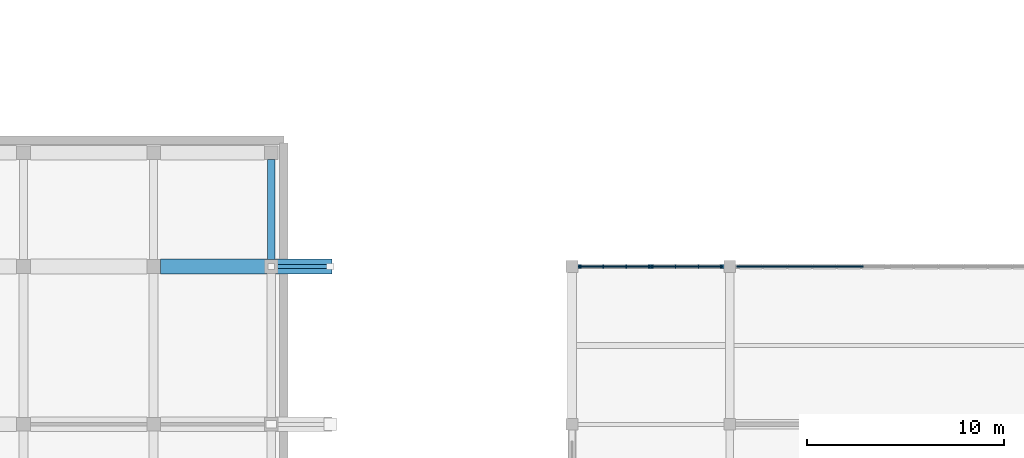
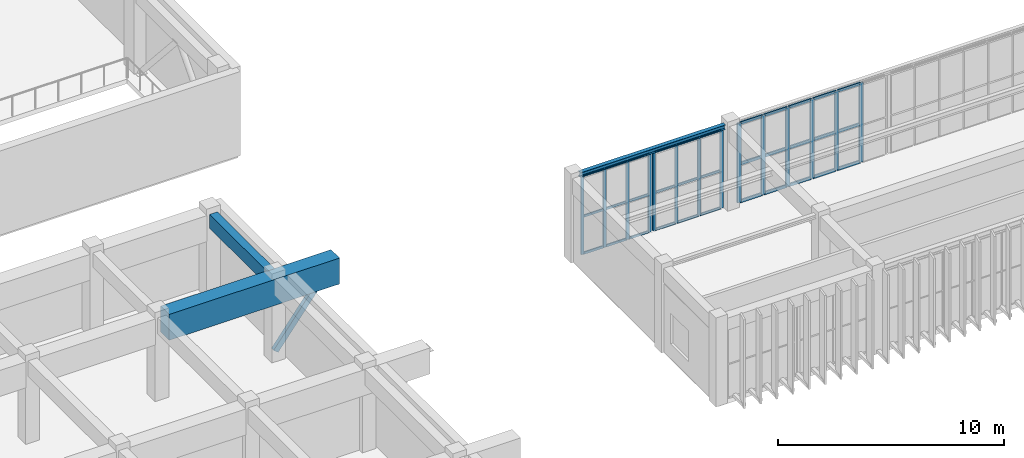
# One storey, part 10 of 64: 48 members, 3 beams, 3 elements without a shape of their own.
"""IFC4 building model written with IfcOpenShell, lengths in metres."""

from ifc_helpers import new_model, si_unit, direction, frame, origin, origin_2d, place, context, subcontext, project, spatial, rectangle, hollow_rectangle, i_section, extrude, material, layer, layer_set, material_profile, profile_set, type_object, element, aggregate, save


model = new_model("IFC4")

# Units and contexts
model_context = context("Model", 3, precision=1e-05, world=origin(), true_north=direction((0.0, 1.0)))
body_context = subcontext(model_context, "Body", "Model", "MODEL_VIEW")
ifc_project = project(units=[si_unit("LENGTHUNIT", "METRE"), si_unit("AREAUNIT", "SQUARE_METRE"), si_unit("VOLUMEUNIT", "CUBIC_METRE"), si_unit("PLANEANGLEUNIT", "RADIAN"), si_unit("MASSUNIT", "GRAM", prefix="KILO")], contexts=[model_context])

# Site, building, storey
site_placement = place(None, origin())
site = spatial("IfcSite", under=ifc_project, at=site_placement, CompositionType="ELEMENT")
building_placement = place(site_placement, origin())
building = spatial("IfcBuilding", under=site, at=building_placement, Name="Cinchona Park Media Centre", CompositionType="ELEMENT")
storey_placement = place(building_placement, frame((0.0, 0.0, 5.39990234375)))
storey = spatial("IfcBuildingStorey", under=building, at=storey_placement, Name="L01", CompositionType="ELEMENT", Elevation=5.39990234375)

# Beams
ifc_material_1 = material(Name="Concrete C35/45", Category="concrete")
ifc_material_profile_1 = material_profile(ifc_material_1, rectangle(XDim=0.39990234375, YDim=0.75, at=origin_2d()), Name="RB 400X750")
ifc_profile_set_1 = profile_set([ifc_material_profile_1], Name="Concrete C35/45")
beam_type_1 = type_object("IfcBeamType", Name="BEAM-B01-RB400X750", PredefinedType="BEAM", material=ifc_profile_set_1)
beam_1_placement = place(storey_placement, frame((39.56005859375, 87.949951171875, 4.10009765625), z_axis=(0.0, 1.0, 0.0), x_axis=(-1.0, 0.0, 0.0)))
element("IfcBeam", 1, at=beam_1_placement, inside=storey, type_object=beam_type_1, Name="Girder B01 L01", PredefinedType="BEAM", context=body_context, shape_type="SweptSolid", body=[
    extrude(rectangle(XDim=0.39990234375, YDim=0.75, at=origin_2d()), origin(), (0.0, 0.0, 1.0), 5.06005859375),
])
ifc_material_2 = material(Name="Steel S355", Category="steel")
ifc_material_profile_2 = material_profile(ifc_material_2, i_section(OverallWidth=0.202880859375, OverallDepth=0.251953125, WebThickness=0.008056640625, FlangeThickness=0.013427734375, at=origin_2d()), Name="W250X58")
ifc_profile_set_2 = profile_set([ifc_material_profile_2], Name="Steel S355")
beam_type_2 = type_object("IfcBeamType", Name="BEAM-B09-W250X58", PredefinedType="BEAM", material=ifc_profile_set_2)
beam_2_placement = place(storey_placement, frame((55.10009765625, 87.60009765625, 4.4140625), z_axis=(1.0, 0.0, 0.0), x_axis=(0.0, 1.0, 0.0)))
element("IfcBeam", 2, at=beam_2_placement, inside=storey, type_object=beam_type_2, Name="Beam B09 L01", PredefinedType="BEAM", context=body_context, shape_type="SweptSolid", body=[
    extrude(i_section(OverallWidth=0.202880859375, OverallDepth=0.251953125, WebThickness=0.008056640625, FlangeThickness=0.013427734375, at=origin_2d()), origin(), (0.0, 0.0, 1.0), 7.39990234375),
])
ifc_material_3 = material(Name="Concrete C40/50", Category="concrete")
ifc_material_profile_3 = material_profile(ifc_material_3, rectangle(XDim=0.75, YDim=1.39990234375, at=origin_2d()), Name="RTG 750X1400")
ifc_profile_set_3 = profile_set([ifc_material_profile_3], Name="Concrete C40/50")
beam_type_3 = type_object("IfcBeamType", Name="BEAM-TG01-RTG750X1400", PredefinedType="USERDEFINED", material=ifc_profile_set_3)
beam_3_placement = place(storey_placement, frame((33.949951171875, 87.60009765625, 3.775146484375), z_axis=(1.0, 0.0, 0.0), x_axis=(0.0, 1.0, 0.0)))
element("IfcBeam", 3, at=beam_3_placement, inside=storey, type_object=beam_type_3, Name="Cantilever Auditorium Transfer Girder TG01 L01", ObjectType="TRANSFER GIRDER", PredefinedType="USERDEFINED", context=body_context, shape_type="SweptSolid", body=[
    extrude(rectangle(XDim=0.75, YDim=1.39990234375, at=origin_2d()), origin(), (0.0, 0.0, 1.0), 8.699951171875),
])

# Member
ifc_material_4 = material(Name="Steel S355", Category="steel")
ifc_material_profile_4 = material_profile(ifc_material_4, hollow_rectangle(XDim=0.199951171875, YDim=0.300048828125, WallThickness=0.01611328125, at=origin_2d()), Name="300X200X16RHS")
ifc_profile_set_4 = profile_set([ifc_material_profile_4], Name="Steel S355")
member_type_1 = type_object("IfcMemberType", Name="MEMBER-TS05-RHS300X200X16", PredefinedType="STRUT", material=ifc_profile_set_4)
member_1_placement = place(storey_placement, frame((39.56005859375, 87.60009765625, 0.35009765625), z_axis=(0.610893690677, 0.0, 0.791712636435), x_axis=(0.0, 1.0, 0.0)))
element("IfcMember", 4, at=member_1_placement, inside=storey, type_object=member_type_1, Name="Constructivist Auditorium Raking Strut TS05", PredefinedType="STRUT", context=body_context, shape_type="SweptSolid", body=[
    extrude(hollow_rectangle(XDim=0.199951171875, YDim=0.300048828125, WallThickness=0.01611328125, at=origin_2d()), origin(), (0.0, 0.0, 1.0), 4.89453125),
])

# Curtain wall, members
ifc_material_5 = material(Name="Aluminium Curtain Wall Framing", Category="aluminium")
ifc_layer_1 = layer(ifc_material_5, 0.179931640625)
ifc_layer_set_1 = layer_set([ifc_layer_1], Name="Aluminium Curtain Wall Framing")
curtain_wall_type_1 = type_object("IfcCurtainWallType", Name="CW-CW01", PredefinedType="USERDEFINED", material=ifc_layer_set_1)
curtain_wall_1_placement = place(storey_placement, origin())
curtain_wall_1 = element("IfcCurtainWall", 5, at=curtain_wall_1_placement, inside=storey, type_object=curtain_wall_type_1, Name="Curtain Wall CW01 L01", ObjectType="UNITISED CURTAIN WALL", PredefinedType="USERDEFINED")
ifc_material_6 = material(Name="Anodised Aluminium Alloy 6063-T6", Category="aluminium")
ifc_material_profile_5 = material_profile(ifc_material_6, rectangle(XDim=0.06494140625, YDim=0.159912109375, at=origin_2d()), Name="MUL-65X160")
ifc_profile_set_5 = profile_set([ifc_material_profile_5], Name="Anodised Aluminium Alloy 6063-T6")
member_type_2 = type_object("IfcMemberType", Name="MULLION-MUL01", PredefinedType="MULLION", material=ifc_profile_set_5)
member_2_placement = place(storey_placement, frame((55.25244140625, 87.60009765625, 0.050048828125), z_axis=(0.0, 0.0, 1.0), x_axis=(0.0, 1.0, 0.0)))
member_2 = element("IfcMember", 6, at=member_2_placement, type_object=member_type_2, Name="CW01 mullion 1", PredefinedType="MULLION", context=body_context, shape_type="SweptSolid", body=[
    extrude(rectangle(XDim=0.06494140625, YDim=0.159912109375, at=origin_2d()), origin(), (0.0, 0.0, 1.0), 4.238037109375),
])
member_3_placement = place(storey_placement, frame((56.38671875, 87.60009765625, 0.050048828125), z_axis=(0.0, 0.0, 1.0), x_axis=(0.0, 1.0, 0.0)))
member_3 = element("IfcMember", 7, at=member_3_placement, type_object=member_type_2, Name="CW01 mullion 2", PredefinedType="MULLION", context=body_context, shape_type="SweptSolid", body=[
    extrude(rectangle(XDim=0.06494140625, YDim=0.159912109375, at=origin_2d()), origin(), (0.0, 0.0, 1.0), 4.238037109375),
])
member_4_placement = place(storey_placement, frame((57.55322265625, 87.60009765625, 0.050048828125), z_axis=(0.0, 0.0, 1.0), x_axis=(0.0, 1.0, 0.0)))
member_4 = element("IfcMember", 8, at=member_4_placement, type_object=member_type_2, Name="CW01 mullion 3", PredefinedType="MULLION", context=body_context, shape_type="SweptSolid", body=[
    extrude(rectangle(XDim=0.06494140625, YDim=0.159912109375, at=origin_2d()), origin(), (0.0, 0.0, 1.0), 4.238037109375),
])
member_5_placement = place(storey_placement, frame((58.6875, 87.60009765625, 0.050048828125), z_axis=(0.0, 0.0, 1.0), x_axis=(0.0, 1.0, 0.0)))
member_5 = element("IfcMember", 9, at=member_5_placement, type_object=member_type_2, Name="CW01 mullion 4", PredefinedType="MULLION", context=body_context, shape_type="SweptSolid", body=[
    extrude(rectangle(XDim=0.06494140625, YDim=0.159912109375, at=origin_2d()), origin(), (0.0, 0.0, 1.0), 4.238037109375),
])

ifc_material_7 = material(Name="Aluminium Curtain Wall Framing", Category="aluminium")
ifc_layer_2 = layer(ifc_material_7, 0.195068359375)
ifc_layer_set_2 = layer_set([ifc_layer_2], Name="Aluminium Curtain Wall Framing")
curtain_wall_type_2 = type_object("IfcCurtainWallType", Name="CW-CW02", PredefinedType="USERDEFINED", material=ifc_layer_set_2)
curtain_wall_2_placement = place(storey_placement, origin())
curtain_wall_2 = element("IfcCurtainWall", 10, at=curtain_wall_2_placement, inside=storey, type_object=curtain_wall_type_2, Name="Curtain Wall CW02 L01", ObjectType="UNITISED CURTAIN WALL", PredefinedType="USERDEFINED")
member_6_placement = place(storey_placement, frame((58.91259765625, 87.60009765625, 0.050048828125), z_axis=(0.0, 0.0, 1.0), x_axis=(0.0, 1.0, 0.0)))
member_6 = element("IfcMember", 11, at=member_6_placement, type_object=member_type_2, Name="CW02 mullion 1", PredefinedType="MULLION", context=body_context, shape_type="SweptSolid", body=[
    extrude(rectangle(XDim=0.06494140625, YDim=0.159912109375, at=origin_2d()), origin(), (0.0, 0.0, 1.0), 4.238037109375),
])
member_7_placement = place(storey_placement, frame((60.046630859375, 87.60009765625, 0.050048828125), z_axis=(0.0, 0.0, 1.0), x_axis=(0.0, 1.0, 0.0)))
member_7 = element("IfcMember", 12, at=member_7_placement, type_object=member_type_2, Name="CW02 mullion 2", PredefinedType="MULLION", context=body_context, shape_type="SweptSolid", body=[
    extrude(rectangle(XDim=0.06494140625, YDim=0.159912109375, at=origin_2d()), origin(), (0.0, 0.0, 1.0), 4.238037109375),
])
member_8_placement = place(storey_placement, frame((61.21337890625, 87.60009765625, 0.050048828125), z_axis=(0.0, 0.0, 1.0), x_axis=(0.0, 1.0, 0.0)))
member_8 = element("IfcMember", 13, at=member_8_placement, type_object=member_type_2, Name="CW02 mullion 3", PredefinedType="MULLION", context=body_context, shape_type="SweptSolid", body=[
    extrude(rectangle(XDim=0.06494140625, YDim=0.159912109375, at=origin_2d()), origin(), (0.0, 0.0, 1.0), 4.238037109375),
])
member_9_placement = place(storey_placement, frame((62.347412109375, 87.60009765625, 0.050048828125), z_axis=(0.0, 0.0, 1.0), x_axis=(0.0, 1.0, 0.0)))
member_9 = element("IfcMember", 14, at=member_9_placement, type_object=member_type_2, Name="CW02 mullion 4", PredefinedType="MULLION", context=body_context, shape_type="SweptSolid", body=[
    extrude(rectangle(XDim=0.06494140625, YDim=0.159912109375, at=origin_2d()), origin(), (0.0, 0.0, 1.0), 4.238037109375),
])

ifc_material_8 = material(Name="Aluminium Curtain Wall Framing", Category="aluminium")
ifc_layer_3 = layer(ifc_material_8, 0.2099609375)
ifc_layer_set_3 = layer_set([ifc_layer_3], Name="Aluminium Curtain Wall Framing")
curtain_wall_type_3 = type_object("IfcCurtainWallType", Name="CW-CW03", PredefinedType="USERDEFINED", material=ifc_layer_set_3)
curtain_wall_3_placement = place(storey_placement, origin())
curtain_wall_3 = element("IfcCurtainWall", 15, at=curtain_wall_3_placement, inside=storey, type_object=curtain_wall_type_3, Name="Curtain Wall CW03 L01", ObjectType="UNITISED CURTAIN WALL", PredefinedType="USERDEFINED")
ifc_material_9 = material(Name="Anodised Aluminium Alloy 6063-T6", Category="aluminium")
ifc_material_profile_6 = material_profile(ifc_material_9, rectangle(XDim=0.074951171875, YDim=0.2099609375, at=origin_2d()), Name="MUL-75X210")
ifc_profile_set_6 = profile_set([ifc_material_profile_6], Name="Anodised Aluminium Alloy 6063-T6")
member_type_3 = type_object("IfcMemberType", Name="MULLION-MUL03", PredefinedType="MULLION", material=ifc_profile_set_6)
member_10_placement = place(storey_placement, frame((63.257568359375, 87.60009765625, 0.050048828125), z_axis=(0.0, 0.0, 1.0), x_axis=(0.0, 1.0, 0.0)))
member_10 = element("IfcMember", 16, at=member_10_placement, type_object=member_type_3, Name="CW03 mullion 1", PredefinedType="MULLION", context=body_context, shape_type="SweptSolid", body=[
    extrude(rectangle(XDim=0.074951171875, YDim=0.2099609375, at=origin_2d()), origin(), (0.0, 0.0, 1.0), 4.287109375),
])
member_11_placement = place(storey_placement, frame((64.469970703125, 87.60009765625, 0.050048828125), z_axis=(0.0, 0.0, 1.0), x_axis=(0.0, 1.0, 0.0)))
member_11 = element("IfcMember", 17, at=member_11_placement, type_object=member_type_3, Name="CW03 mullion 2", PredefinedType="MULLION", context=body_context, shape_type="SweptSolid", body=[
    extrude(rectangle(XDim=0.074951171875, YDim=0.2099609375, at=origin_2d()), origin(), (0.0, 0.0, 1.0), 4.287109375),
])
member_12_placement = place(storey_placement, frame((65.719970703125, 87.60009765625, 0.050048828125), z_axis=(0.0, 0.0, 1.0), x_axis=(0.0, 1.0, 0.0)))
member_12 = element("IfcMember", 18, at=member_12_placement, type_object=member_type_3, Name="CW03 mullion 3", PredefinedType="MULLION", context=body_context, shape_type="SweptSolid", body=[
    extrude(rectangle(XDim=0.074951171875, YDim=0.2099609375, at=origin_2d()), origin(), (0.0, 0.0, 1.0), 4.287109375),
])
member_13_placement = place(storey_placement, frame((66.969970703125, 87.60009765625, 0.050048828125), z_axis=(0.0, 0.0, 1.0), x_axis=(0.0, 1.0, 0.0)))
member_13 = element("IfcMember", 19, at=member_13_placement, type_object=member_type_3, Name="CW03 mullion 4", PredefinedType="MULLION", context=body_context, shape_type="SweptSolid", body=[
    extrude(rectangle(XDim=0.074951171875, YDim=0.2099609375, at=origin_2d()), origin(), (0.0, 0.0, 1.0), 4.287109375),
])
member_14_placement = place(storey_placement, frame((68.219970703125, 87.60009765625, 0.050048828125), z_axis=(0.0, 0.0, 1.0), x_axis=(0.0, 1.0, 0.0)))
member_14 = element("IfcMember", 20, at=member_14_placement, type_object=member_type_3, Name="CW03 mullion 5", PredefinedType="MULLION", context=body_context, shape_type="SweptSolid", body=[
    extrude(rectangle(XDim=0.074951171875, YDim=0.2099609375, at=origin_2d()), origin(), (0.0, 0.0, 1.0), 4.287109375),
])
member_15_placement = place(storey_placement, frame((69.469970703125, 87.60009765625, 0.050048828125), z_axis=(0.0, 0.0, 1.0), x_axis=(0.0, 1.0, 0.0)))
member_15 = element("IfcMember", 21, at=member_15_placement, type_object=member_type_3, Name="CW03 mullion 6", PredefinedType="MULLION", context=body_context, shape_type="SweptSolid", body=[
    extrude(rectangle(XDim=0.074951171875, YDim=0.2099609375, at=origin_2d()), origin(), (0.0, 0.0, 1.0), 4.287109375),
])

# Member
ifc_material_10 = material(Name="Anodised Aluminium Alloy 6063-T6", Category="aluminium")
ifc_material_profile_7 = material_profile(ifc_material_10, rectangle(XDim=0.06494140625, YDim=0.1201171875, at=origin_2d()), Name="TRN-65X120")
ifc_profile_set_7 = profile_set([ifc_material_profile_7], Name="Anodised Aluminium Alloy 6063-T6")
member_type_4 = type_object("IfcMemberType", Name="TRANSOM-TRN01", PredefinedType="USERDEFINED", material=ifc_profile_set_7)
member_16_placement = place(storey_placement, frame((55.284912109375, 87.60009765625, 0.08251953125), z_axis=(1.0, 0.0, 0.0), x_axis=(0.0, 1.0, 0.0)))
member_16 = element("IfcMember", 22, at=member_16_placement, type_object=member_type_4, Name="CW01 transom 1.1", ObjectType="TRANSOM", PredefinedType="USERDEFINED", context=body_context, shape_type="SweptSolid", body=[
    extrude(rectangle(XDim=0.06494140625, YDim=0.1201171875, at=origin_2d()), origin(), (0.0, 0.0, 1.0), 1.0693359375),
])

member_17_placement = place(storey_placement, frame((55.284912109375, 87.60009765625, 2.083984375), z_axis=(1.0, 0.0, 0.0), x_axis=(0.0, 1.0, 0.0)))
member_17 = element("IfcMember", 23, at=member_17_placement, type_object=member_type_4, Name="CW01 transom 1.2", ObjectType="TRANSOM", PredefinedType="USERDEFINED", context=body_context, shape_type="SweptSolid", body=[
    extrude(rectangle(XDim=0.06494140625, YDim=0.1201171875, at=origin_2d()), origin(), (0.0, 0.0, 1.0), 1.0693359375),
])

member_18_placement = place(storey_placement, frame((55.284912109375, 87.60009765625, 4.255615234375), z_axis=(1.0, 0.0, 0.0), x_axis=(0.0, 1.0, 0.0)))
member_18 = element("IfcMember", 24, at=member_18_placement, type_object=member_type_4, Name="CW01 transom 1.3", ObjectType="TRANSOM", PredefinedType="USERDEFINED", context=body_context, shape_type="SweptSolid", body=[
    extrude(rectangle(XDim=0.06494140625, YDim=0.1201171875, at=origin_2d()), origin(), (0.0, 0.0, 1.0), 1.0693359375),
])

member_19_placement = place(storey_placement, frame((56.419189453125, 87.60009765625, 0.08251953125), z_axis=(1.0, 0.0, 0.0), x_axis=(0.0, 1.0, 0.0)))
member_19 = element("IfcMember", 25, at=member_19_placement, type_object=member_type_4, Name="CW01 transom 2.1", ObjectType="TRANSOM", PredefinedType="USERDEFINED", context=body_context, shape_type="SweptSolid", body=[
    extrude(rectangle(XDim=0.06494140625, YDim=0.1201171875, at=origin_2d()), origin(), (0.0, 0.0, 1.0), 1.1015625),
])

member_20_placement = place(storey_placement, frame((56.419189453125, 87.60009765625, 2.083984375), z_axis=(1.0, 0.0, 0.0), x_axis=(0.0, 1.0, 0.0)))
member_20 = element("IfcMember", 26, at=member_20_placement, type_object=member_type_4, Name="CW01 transom 2.2", ObjectType="TRANSOM", PredefinedType="USERDEFINED", context=body_context, shape_type="SweptSolid", body=[
    extrude(rectangle(XDim=0.06494140625, YDim=0.1201171875, at=origin_2d()), origin(), (0.0, 0.0, 1.0), 1.1015625),
])

member_21_placement = place(storey_placement, frame((56.419189453125, 87.60009765625, 4.255615234375), z_axis=(1.0, 0.0, 0.0), x_axis=(0.0, 1.0, 0.0)))
member_21 = element("IfcMember", 27, at=member_21_placement, type_object=member_type_4, Name="CW01 transom 2.3", ObjectType="TRANSOM", PredefinedType="USERDEFINED", context=body_context, shape_type="SweptSolid", body=[
    extrude(rectangle(XDim=0.06494140625, YDim=0.1201171875, at=origin_2d()), origin(), (0.0, 0.0, 1.0), 1.1015625),
])

member_22_placement = place(storey_placement, frame((57.5859375, 87.60009765625, 0.08251953125), z_axis=(1.0, 0.0, 0.0), x_axis=(0.0, 1.0, 0.0)))
member_22 = element("IfcMember", 28, at=member_22_placement, type_object=member_type_4, Name="CW01 transom 3.1", ObjectType="TRANSOM", PredefinedType="USERDEFINED", context=body_context, shape_type="SweptSolid", body=[
    extrude(rectangle(XDim=0.06494140625, YDim=0.1201171875, at=origin_2d()), origin(), (0.0, 0.0, 1.0), 1.069091796875),
])

member_23_placement = place(storey_placement, frame((57.5859375, 87.60009765625, 2.083984375), z_axis=(1.0, 0.0, 0.0), x_axis=(0.0, 1.0, 0.0)))
member_23 = element("IfcMember", 29, at=member_23_placement, type_object=member_type_4, Name="CW01 transom 3.2", ObjectType="TRANSOM", PredefinedType="USERDEFINED", context=body_context, shape_type="SweptSolid", body=[
    extrude(rectangle(XDim=0.06494140625, YDim=0.1201171875, at=origin_2d()), origin(), (0.0, 0.0, 1.0), 1.069091796875),
])

member_24_placement = place(storey_placement, frame((57.5859375, 87.60009765625, 4.255615234375), z_axis=(1.0, 0.0, 0.0), x_axis=(0.0, 1.0, 0.0)))
member_24 = element("IfcMember", 30, at=member_24_placement, type_object=member_type_4, Name="CW01 transom 3.3", ObjectType="TRANSOM", PredefinedType="USERDEFINED", context=body_context, shape_type="SweptSolid", body=[
    extrude(rectangle(XDim=0.06494140625, YDim=0.1201171875, at=origin_2d()), origin(), (0.0, 0.0, 1.0), 1.069091796875),
])

aggregate(curtain_wall_1, [member_2, member_3, member_4, member_5, member_16, member_17, member_18, member_19, member_20, member_21, member_22, member_23, member_24])

member_25_placement = place(storey_placement, frame((58.945068359375, 87.60009765625, 0.08251953125), z_axis=(1.0, 0.0, 0.0), x_axis=(0.0, 1.0, 0.0)))
member_25 = element("IfcMember", 31, at=member_25_placement, type_object=member_type_4, Name="CW02 transom 1.1", ObjectType="TRANSOM", PredefinedType="USERDEFINED", context=body_context, shape_type="SweptSolid", body=[
    extrude(rectangle(XDim=0.06494140625, YDim=0.1201171875, at=origin_2d()), origin(), (0.0, 0.0, 1.0), 1.069091796875),
])

member_26_placement = place(storey_placement, frame((58.945068359375, 87.60009765625, 2.083984375), z_axis=(1.0, 0.0, 0.0), x_axis=(0.0, 1.0, 0.0)))
member_26 = element("IfcMember", 32, at=member_26_placement, type_object=member_type_4, Name="CW02 transom 1.2", ObjectType="TRANSOM", PredefinedType="USERDEFINED", context=body_context, shape_type="SweptSolid", body=[
    extrude(rectangle(XDim=0.06494140625, YDim=0.1201171875, at=origin_2d()), origin(), (0.0, 0.0, 1.0), 1.069091796875),
])

member_27_placement = place(storey_placement, frame((58.945068359375, 87.60009765625, 4.255615234375), z_axis=(1.0, 0.0, 0.0), x_axis=(0.0, 1.0, 0.0)))
member_27 = element("IfcMember", 33, at=member_27_placement, type_object=member_type_4, Name="CW02 transom 1.3", ObjectType="TRANSOM", PredefinedType="USERDEFINED", context=body_context, shape_type="SweptSolid", body=[
    extrude(rectangle(XDim=0.06494140625, YDim=0.1201171875, at=origin_2d()), origin(), (0.0, 0.0, 1.0), 1.069091796875),
])

member_28_placement = place(storey_placement, frame((60.0791015625, 87.60009765625, 0.08251953125), z_axis=(1.0, 0.0, 0.0), x_axis=(0.0, 1.0, 0.0)))
member_28 = element("IfcMember", 34, at=member_28_placement, type_object=member_type_4, Name="CW02 transom 2.1", ObjectType="TRANSOM", PredefinedType="USERDEFINED", context=body_context, shape_type="SweptSolid", body=[
    extrude(rectangle(XDim=0.06494140625, YDim=0.1201171875, at=origin_2d()), origin(), (0.0, 0.0, 1.0), 1.101806640625),
])

member_29_placement = place(storey_placement, frame((60.0791015625, 87.60009765625, 2.083984375), z_axis=(1.0, 0.0, 0.0), x_axis=(0.0, 1.0, 0.0)))
member_29 = element("IfcMember", 35, at=member_29_placement, type_object=member_type_4, Name="CW02 transom 2.2", ObjectType="TRANSOM", PredefinedType="USERDEFINED", context=body_context, shape_type="SweptSolid", body=[
    extrude(rectangle(XDim=0.06494140625, YDim=0.1201171875, at=origin_2d()), origin(), (0.0, 0.0, 1.0), 1.101806640625),
])

member_30_placement = place(storey_placement, frame((60.0791015625, 87.60009765625, 4.255615234375), z_axis=(1.0, 0.0, 0.0), x_axis=(0.0, 1.0, 0.0)))
member_30 = element("IfcMember", 36, at=member_30_placement, type_object=member_type_4, Name="CW02 transom 2.3", ObjectType="TRANSOM", PredefinedType="USERDEFINED", context=body_context, shape_type="SweptSolid", body=[
    extrude(rectangle(XDim=0.06494140625, YDim=0.1201171875, at=origin_2d()), origin(), (0.0, 0.0, 1.0), 1.101806640625),
])

member_31_placement = place(storey_placement, frame((61.245849609375, 87.60009765625, 0.08251953125), z_axis=(1.0, 0.0, 0.0), x_axis=(0.0, 1.0, 0.0)))
member_31 = element("IfcMember", 37, at=member_31_placement, type_object=member_type_4, Name="CW02 transom 3.1", ObjectType="TRANSOM", PredefinedType="USERDEFINED", context=body_context, shape_type="SweptSolid", body=[
    extrude(rectangle(XDim=0.06494140625, YDim=0.1201171875, at=origin_2d()), origin(), (0.0, 0.0, 1.0), 1.069091796875),
])

member_32_placement = place(storey_placement, frame((61.245849609375, 87.60009765625, 2.083984375), z_axis=(1.0, 0.0, 0.0), x_axis=(0.0, 1.0, 0.0)))
member_32 = element("IfcMember", 38, at=member_32_placement, type_object=member_type_4, Name="CW02 transom 3.2", ObjectType="TRANSOM", PredefinedType="USERDEFINED", context=body_context, shape_type="SweptSolid", body=[
    extrude(rectangle(XDim=0.06494140625, YDim=0.1201171875, at=origin_2d()), origin(), (0.0, 0.0, 1.0), 1.069091796875),
])

member_33_placement = place(storey_placement, frame((61.245849609375, 87.60009765625, 4.255615234375), z_axis=(1.0, 0.0, 0.0), x_axis=(0.0, 1.0, 0.0)))
member_33 = element("IfcMember", 39, at=member_33_placement, type_object=member_type_4, Name="CW02 transom 3.3", ObjectType="TRANSOM", PredefinedType="USERDEFINED", context=body_context, shape_type="SweptSolid", body=[
    extrude(rectangle(XDim=0.06494140625, YDim=0.1201171875, at=origin_2d()), origin(), (0.0, 0.0, 1.0), 1.069091796875),
])

aggregate(curtain_wall_2, [member_6, member_7, member_8, member_9, member_25, member_26, member_27, member_28, member_29, member_30, member_31, member_32, member_33])

ifc_material_11 = material(Name="Anodised Aluminium Alloy 6063-T6", Category="aluminium")
ifc_material_profile_8 = material_profile(ifc_material_11, rectangle(XDim=0.074951171875, YDim=0.159912109375, at=origin_2d()), Name="TRN-75X160")
ifc_profile_set_8 = profile_set([ifc_material_profile_8], Name="Anodised Aluminium Alloy 6063-T6")
member_type_5 = type_object("IfcMemberType", Name="TRANSOM-TRN03", PredefinedType="USERDEFINED", material=ifc_profile_set_8)
member_34_placement = place(storey_placement, frame((63.294921875, 87.60009765625, 0.087646484375), z_axis=(1.0, 0.0, 0.0), x_axis=(0.0, 1.0, 0.0)))
member_34 = element("IfcMember", 40, at=member_34_placement, type_object=member_type_5, Name="CW03 transom 1.1", ObjectType="TRANSOM", PredefinedType="USERDEFINED", context=body_context, shape_type="SweptSolid", body=[
    extrude(rectangle(XDim=0.074951171875, YDim=0.159912109375, at=origin_2d()), origin(), (0.0, 0.0, 1.0), 1.1376953125),
])

member_35_placement = place(storey_placement, frame((63.294921875, 87.60009765625, 2.108154296875), z_axis=(1.0, 0.0, 0.0), x_axis=(0.0, 1.0, 0.0)))
member_35 = element("IfcMember", 41, at=member_35_placement, type_object=member_type_5, Name="CW03 transom 1.2", ObjectType="TRANSOM", PredefinedType="USERDEFINED", context=body_context, shape_type="SweptSolid", body=[
    extrude(rectangle(XDim=0.074951171875, YDim=0.159912109375, at=origin_2d()), origin(), (0.0, 0.0, 1.0), 1.1376953125),
])

member_36_placement = place(storey_placement, frame((63.294921875, 87.60009765625, 4.299560546875), z_axis=(1.0, 0.0, 0.0), x_axis=(0.0, 1.0, 0.0)))
member_36 = element("IfcMember", 42, at=member_36_placement, type_object=member_type_5, Name="CW03 transom 1.3", ObjectType="TRANSOM", PredefinedType="USERDEFINED", context=body_context, shape_type="SweptSolid", body=[
    extrude(rectangle(XDim=0.074951171875, YDim=0.159912109375, at=origin_2d()), origin(), (0.0, 0.0, 1.0), 1.1376953125),
])

member_37_placement = place(storey_placement, frame((64.507568359375, 87.60009765625, 0.087646484375), z_axis=(1.0, 0.0, 0.0), x_axis=(0.0, 1.0, 0.0)))
member_37 = element("IfcMember", 43, at=member_37_placement, type_object=member_type_5, Name="CW03 transom 2.1", ObjectType="TRANSOM", PredefinedType="USERDEFINED", context=body_context, shape_type="SweptSolid", body=[
    extrude(rectangle(XDim=0.074951171875, YDim=0.159912109375, at=origin_2d()), origin(), (0.0, 0.0, 1.0), 1.175048828125),
])

member_38_placement = place(storey_placement, frame((64.507568359375, 87.60009765625, 2.108154296875), z_axis=(1.0, 0.0, 0.0), x_axis=(0.0, 1.0, 0.0)))
member_38 = element("IfcMember", 44, at=member_38_placement, type_object=member_type_5, Name="CW03 transom 2.2", ObjectType="TRANSOM", PredefinedType="USERDEFINED", context=body_context, shape_type="SweptSolid", body=[
    extrude(rectangle(XDim=0.074951171875, YDim=0.159912109375, at=origin_2d()), origin(), (0.0, 0.0, 1.0), 1.175048828125),
])

member_39_placement = place(storey_placement, frame((64.507568359375, 87.60009765625, 4.299560546875), z_axis=(1.0, 0.0, 0.0), x_axis=(0.0, 1.0, 0.0)))
member_39 = element("IfcMember", 45, at=member_39_placement, type_object=member_type_5, Name="CW03 transom 2.3", ObjectType="TRANSOM", PredefinedType="USERDEFINED", context=body_context, shape_type="SweptSolid", body=[
    extrude(rectangle(XDim=0.074951171875, YDim=0.159912109375, at=origin_2d()), origin(), (0.0, 0.0, 1.0), 1.175048828125),
])

member_40_placement = place(storey_placement, frame((65.757568359375, 87.60009765625, 0.087646484375), z_axis=(1.0, 0.0, 0.0), x_axis=(0.0, 1.0, 0.0)))
member_40 = element("IfcMember", 46, at=member_40_placement, type_object=member_type_5, Name="CW03 transom 3.1", ObjectType="TRANSOM", PredefinedType="USERDEFINED", context=body_context, shape_type="SweptSolid", body=[
    extrude(rectangle(XDim=0.074951171875, YDim=0.159912109375, at=origin_2d()), origin(), (0.0, 0.0, 1.0), 1.175048828125),
])

member_41_placement = place(storey_placement, frame((65.757568359375, 87.60009765625, 2.108154296875), z_axis=(1.0, 0.0, 0.0), x_axis=(0.0, 1.0, 0.0)))
member_41 = element("IfcMember", 47, at=member_41_placement, type_object=member_type_5, Name="CW03 transom 3.2", ObjectType="TRANSOM", PredefinedType="USERDEFINED", context=body_context, shape_type="SweptSolid", body=[
    extrude(rectangle(XDim=0.074951171875, YDim=0.159912109375, at=origin_2d()), origin(), (0.0, 0.0, 1.0), 1.175048828125),
])

member_42_placement = place(storey_placement, frame((65.757568359375, 87.60009765625, 4.299560546875), z_axis=(1.0, 0.0, 0.0), x_axis=(0.0, 1.0, 0.0)))
member_42 = element("IfcMember", 48, at=member_42_placement, type_object=member_type_5, Name="CW03 transom 3.3", ObjectType="TRANSOM", PredefinedType="USERDEFINED", context=body_context, shape_type="SweptSolid", body=[
    extrude(rectangle(XDim=0.074951171875, YDim=0.159912109375, at=origin_2d()), origin(), (0.0, 0.0, 1.0), 1.175048828125),
])

member_43_placement = place(storey_placement, frame((67.007568359375, 87.60009765625, 0.087646484375), z_axis=(1.0, 0.0, 0.0), x_axis=(0.0, 1.0, 0.0)))
member_43 = element("IfcMember", 49, at=member_43_placement, type_object=member_type_5, Name="CW03 transom 4.1", ObjectType="TRANSOM", PredefinedType="USERDEFINED", context=body_context, shape_type="SweptSolid", body=[
    extrude(rectangle(XDim=0.074951171875, YDim=0.159912109375, at=origin_2d()), origin(), (0.0, 0.0, 1.0), 1.175048828125),
])

member_44_placement = place(storey_placement, frame((67.007568359375, 87.60009765625, 2.108154296875), z_axis=(1.0, 0.0, 0.0), x_axis=(0.0, 1.0, 0.0)))
member_44 = element("IfcMember", 50, at=member_44_placement, type_object=member_type_5, Name="CW03 transom 4.2", ObjectType="TRANSOM", PredefinedType="USERDEFINED", context=body_context, shape_type="SweptSolid", body=[
    extrude(rectangle(XDim=0.074951171875, YDim=0.159912109375, at=origin_2d()), origin(), (0.0, 0.0, 1.0), 1.175048828125),
])

member_45_placement = place(storey_placement, frame((67.007568359375, 87.60009765625, 4.299560546875), z_axis=(1.0, 0.0, 0.0), x_axis=(0.0, 1.0, 0.0)))
member_45 = element("IfcMember", 51, at=member_45_placement, type_object=member_type_5, Name="CW03 transom 4.3", ObjectType="TRANSOM", PredefinedType="USERDEFINED", context=body_context, shape_type="SweptSolid", body=[
    extrude(rectangle(XDim=0.074951171875, YDim=0.159912109375, at=origin_2d()), origin(), (0.0, 0.0, 1.0), 1.175048828125),
])

member_46_placement = place(storey_placement, frame((68.257568359375, 87.60009765625, 0.087646484375), z_axis=(1.0, 0.0, 0.0), x_axis=(0.0, 1.0, 0.0)))
member_46 = element("IfcMember", 52, at=member_46_placement, type_object=member_type_5, Name="CW03 transom 5.1", ObjectType="TRANSOM", PredefinedType="USERDEFINED", context=body_context, shape_type="SweptSolid", body=[
    extrude(rectangle(XDim=0.074951171875, YDim=0.159912109375, at=origin_2d()), origin(), (0.0, 0.0, 1.0), 1.175048828125),
])

member_47_placement = place(storey_placement, frame((68.257568359375, 87.60009765625, 2.108154296875), z_axis=(1.0, 0.0, 0.0), x_axis=(0.0, 1.0, 0.0)))
member_47 = element("IfcMember", 53, at=member_47_placement, type_object=member_type_5, Name="CW03 transom 5.2", ObjectType="TRANSOM", PredefinedType="USERDEFINED", context=body_context, shape_type="SweptSolid", body=[
    extrude(rectangle(XDim=0.074951171875, YDim=0.159912109375, at=origin_2d()), origin(), (0.0, 0.0, 1.0), 1.175048828125),
])

member_48_placement = place(storey_placement, frame((68.257568359375, 87.60009765625, 4.299560546875), z_axis=(1.0, 0.0, 0.0), x_axis=(0.0, 1.0, 0.0)))
member_48 = element("IfcMember", 54, at=member_48_placement, type_object=member_type_5, Name="CW03 transom 5.3", ObjectType="TRANSOM", PredefinedType="USERDEFINED", context=body_context, shape_type="SweptSolid", body=[
    extrude(rectangle(XDim=0.074951171875, YDim=0.159912109375, at=origin_2d()), origin(), (0.0, 0.0, 1.0), 1.175048828125),
])

aggregate(curtain_wall_3, [member_10, member_11, member_12, member_13, member_14, member_15, member_34, member_35, member_36, member_37, member_38, member_39, member_40, member_41, member_42, member_43, member_44, member_45, member_46, member_47, member_48])

save(model, "model.ifc")
